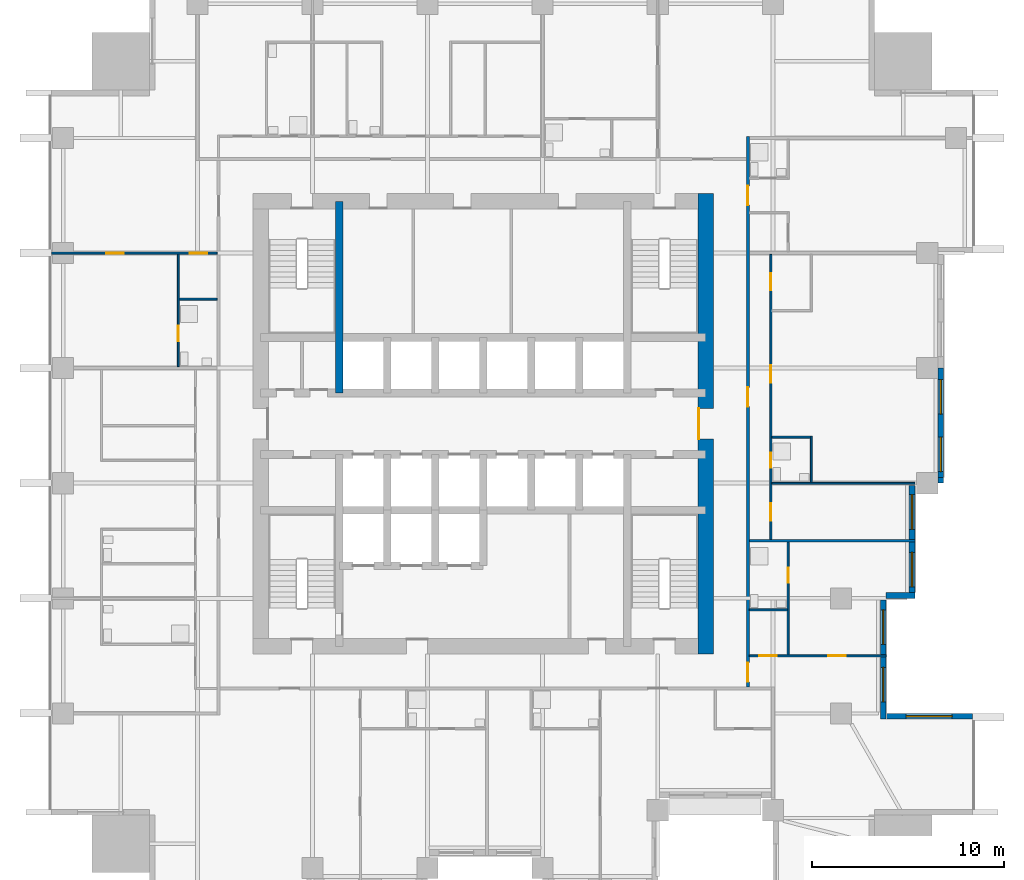
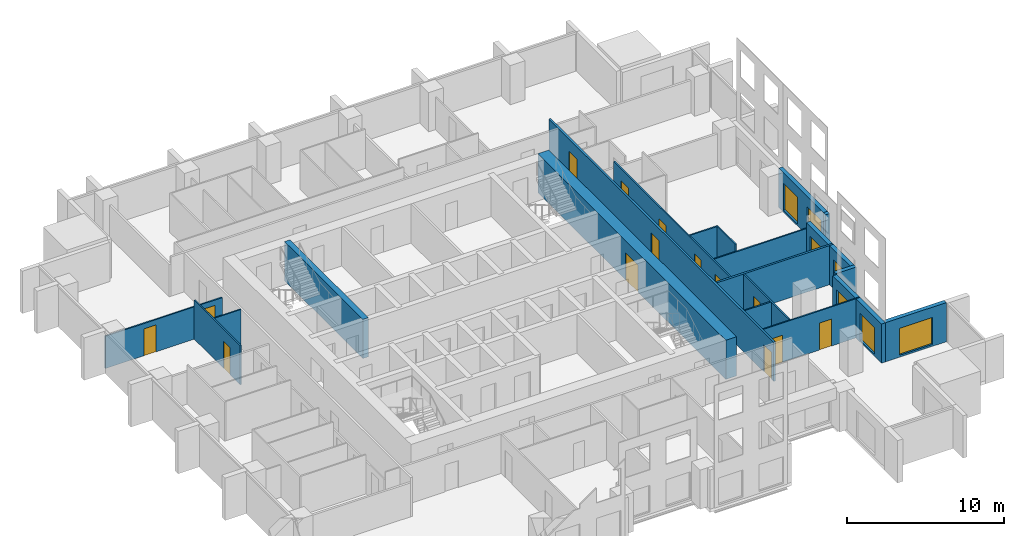
# One storey, part 6 of 11: 20 walls, 14 doors, 7 windows, 21 openings.
"""IFC4 building model written with IfcOpenShell, lengths in metres."""

from ifc_helpers import new_model, si_unit, direction, frame, frame_2d, origin, place, context, subcontext, project, spatial, rectangle, extrude, material, layer, layer_set, type_object, element, fill, save


model = new_model("IFC4")

# Units and contexts
model_context = context("Model", 3, precision=1e-05, world=origin(), true_north=direction((0.0, 1.0)))
body_context = subcontext(model_context, "Body", "Model", "MODEL_VIEW")
ifc_project = project(units=[si_unit("LENGTHUNIT", "METRE"), si_unit("AREAUNIT", "SQUARE_METRE"), si_unit("VOLUMEUNIT", "CUBIC_METRE"), si_unit("PLANEANGLEUNIT", "RADIAN"), si_unit("MASSUNIT", "GRAM", prefix="KILO")], contexts=[model_context])

# Site, building, storey
site_placement = place(None, origin())
site = spatial("IfcSite", under=ifc_project, at=site_placement, CompositionType="ELEMENT")
building_placement = place(site_placement, origin())
building = spatial("IfcBuilding", under=site, at=building_placement, Name="Amberfall Residences", CompositionType="ELEMENT")
storey_placement = place(building_placement, frame((0.0, 0.0, 115.0)))
storey = spatial("IfcBuildingStorey", under=building, at=storey_placement, Name="L31", CompositionType="ELEMENT", Elevation=115.0)

# Wall, opening, window
ifc_material_1 = material(Name="Pale stone cladding on insulated backing", Category="masonry")
ifc_layer_1 = layer(ifc_material_1, 0.300048828125)
ifc_layer_set_1 = layer_set([ifc_layer_1], Name="Bronze clad wall 300")
wall_type_1 = type_object("IfcWallType", Name="Bronze clad wall 300", PredefinedType="SOLIDWALL", material=ifc_layer_set_1)
wall_1_placement = place(storey_placement, frame((100.0, 30.25, 0.0), z_axis=(0.0, 0.0, 1.0), x_axis=(-1.0, 0.0, 0.0)))
wall_1 = element("IfcWall", 1, at=wall_1_placement, inside=storey, type_object=wall_type_1, Name="External wall L31 E", PredefinedType="SOLIDWALL", context=body_context, shape_type="SweptSolid", body=[
    extrude(rectangle(XDim=4.5, YDim=0.300048828125, at=frame_2d((2.25, 0.0))), origin(), (0.0, 0.0, 1.0), 3.050048828125),
])
opening_1_placement = place(wall_1_placement, frame((1.050048828125, 0.0, 0.14990234375)))
opening_1 = element("IfcOpeningElement", 2, at=opening_1_placement, cuts=wall_1, Name="Opening WN5", PredefinedType="OPENING", context=body_context, shape_type="SweptSolid", body=[
    extrude(rectangle(XDim=2.39990234375, YDim=2.10009765625, at=frame_2d((1.199951171875, 1.050048828125))), frame((0.0, 0.159912109375, 0.0), z_axis=(0.0, -1.0, 0.0), x_axis=(1.0, 0.0, 0.0)), (0.0, 0.0, 1.0), 0.320068359375),
])
ifc_material_2 = material(Name="Bronze aluminium framed glazing", Category="aluminium")
window_type_1 = type_object("IfcWindowType", Name="Glazed opening 2400 x 2100 bronze", PartitioningType="DOUBLE_PANEL_VERTICAL", PredefinedType="WINDOW", material=ifc_material_2)
window_1_placement = place(opening_1_placement, origin())
window_1 = element("IfcWindow", 3, at=window_1_placement, inside=storey, type_object=window_type_1, Name="Window L31 E", OverallHeight=2.10009765625, OverallWidth=2.39990234375, PartitioningType="DOUBLE_PANEL_VERTICAL", PredefinedType="WINDOW", context=body_context, shape_type="SweptSolid", body=[
    extrude(rectangle(XDim=2.39990234375, YDim=2.10009765625, at=frame_2d((1.199951171875, 1.050048828125))), frame((0.0, 0.030029296875, 0.0), z_axis=(0.0, -1.0, 0.0), x_axis=(1.0, 0.0, 0.0)), (0.0, 0.0, 1.0), 0.06005859375),
])
fill(opening_1, window_1)

# Walls
wall_2_placement = place(storey_placement, frame((95.5, 36.550048828125, 0.0), z_axis=(0.0, 0.0, 1.0), x_axis=(1.0, 0.0, 0.0)))
element("IfcWall", 4, at=wall_2_placement, inside=storey, type_object=wall_type_1, Name="External wall L31 E", PredefinedType="SOLIDWALL", context=body_context, shape_type="SweptSolid", body=[
    extrude(rectangle(XDim=1.5, YDim=0.300048828125, at=frame_2d((0.75, 0.0))), origin(), (0.0, 0.0, 1.0), 3.050048828125),
])
wall_3_placement = place(storey_placement, frame((98.199951171875, 42.550048828125, 0.0), z_axis=(0.0, 0.0, 1.0), x_axis=(1.0, 0.0, 0.0)))
element("IfcWall", 5, at=wall_3_placement, inside=storey, type_object=wall_type_1, Name="External wall L31 E", PredefinedType="SOLIDWALL", context=body_context, shape_type="SweptSolid", body=[
    extrude(rectangle(XDim=0.300048828125, YDim=0.300048828125, at=frame_2d((0.14990234375, 0.0))), origin(), (0.0, 0.0, 1.0), 3.050048828125),
])

# Wall, openings, windows
wall_4_placement = place(storey_placement, frame((95.35009765625, 30.10009765625, 0.0), z_axis=(0.0, 0.0, 1.0), x_axis=(0.0, 1.0, 0.0)))
wall_4 = element("IfcWall", 6, at=wall_4_placement, inside=storey, type_object=wall_type_1, Name="Stone wall L31 E", PredefinedType="SOLIDWALL", context=body_context, shape_type="SweptSolid", body=[
    extrude(rectangle(XDim=6.2099609375, YDim=0.300048828125, at=frame_2d((3.10498046875, 0.0))), origin(), (0.0, 0.0, 1.0), 3.050048828125),
])
opening_2_placement = place(wall_4_placement, frame((0.89990234375, 0.0, 0.14990234375)))
opening_2 = element("IfcOpeningElement", 7, at=opening_2_placement, cuts=wall_4, Name="Opening WN6", PredefinedType="OPENING", context=body_context, shape_type="SweptSolid", body=[
    extrude(rectangle(XDim=1.800048828125, YDim=2.10009765625, at=frame_2d((0.89990234375, 1.050048828125))), frame((0.0, 0.159912109375, 0.0), z_axis=(0.0, -1.0, 0.0), x_axis=(1.0, 0.0, 0.0)), (0.0, 0.0, 1.0), 0.320068359375),
])
opening_3_placement = place(wall_4_placement, frame((3.89990234375, 0.0, 0.14990234375)))
opening_3 = element("IfcOpeningElement", 8, at=opening_3_placement, cuts=wall_4, Name="Opening WN6", PredefinedType="OPENING", context=body_context, shape_type="SweptSolid", body=[
    extrude(rectangle(XDim=1.800048828125, YDim=2.10009765625, at=frame_2d((0.89990234375, 1.050048828125))), frame((0.0, 0.159912109375, 0.0), z_axis=(0.0, -1.0, 0.0), x_axis=(1.0, 0.0, 0.0)), (0.0, 0.0, 1.0), 0.320068359375),
])
window_type_2 = type_object("IfcWindowType", Name="Glazed opening 1800 x 2100 bronze", PartitioningType="DOUBLE_PANEL_VERTICAL", PredefinedType="WINDOW", material=ifc_material_2)
window_2_placement = place(opening_2_placement, origin())
window_2 = element("IfcWindow", 9, at=window_2_placement, inside=storey, type_object=window_type_2, Name="Window L31 E", OverallHeight=2.10009765625, OverallWidth=1.800048828125, PartitioningType="DOUBLE_PANEL_VERTICAL", PredefinedType="WINDOW", context=body_context, shape_type="SweptSolid", body=[
    extrude(rectangle(XDim=1.800048828125, YDim=2.10009765625, at=frame_2d((0.89990234375, 1.050048828125))), frame((0.0, 0.030029296875, 0.0), z_axis=(0.0, -1.0, 0.0), x_axis=(1.0, 0.0, 0.0)), (0.0, 0.0, 1.0), 0.06005859375),
])
fill(opening_2, window_2)
window_3_placement = place(opening_3_placement, origin())
window_3 = element("IfcWindow", 10, at=window_3_placement, inside=storey, type_object=window_type_2, Name="Window L31 E", OverallHeight=2.10009765625, OverallWidth=1.800048828125, PartitioningType="DOUBLE_PANEL_VERTICAL", PredefinedType="WINDOW", context=body_context, shape_type="SweptSolid", body=[
    extrude(rectangle(XDim=1.800048828125, YDim=2.10009765625, at=frame_2d((0.89990234375, 1.050048828125))), frame((0.0, 0.030029296875, 0.0), z_axis=(0.0, -1.0, 0.0), x_axis=(1.0, 0.0, 0.0)), (0.0, 0.0, 1.0), 0.06005859375),
])
fill(opening_3, window_3)

wall_5_placement = place(storey_placement, frame((96.85009765625, 36.699951171875, 0.0), z_axis=(0.0, 0.0, 1.0), x_axis=(0.0, 1.0, 0.0)))
wall_5 = element("IfcWall", 11, at=wall_5_placement, inside=storey, type_object=wall_type_1, Name="Stone wall L31 E", PredefinedType="SOLIDWALL", context=body_context, shape_type="SweptSolid", body=[
    extrude(rectangle(XDim=5.590087890625, YDim=0.300048828125, at=frame_2d((2.794921875, 0.0))), origin(), (0.0, 0.0, 1.0), 3.050048828125),
])
opening_4_placement = place(wall_5_placement, frame((0.300048828125, 0.0, 0.14990234375)))
opening_4 = element("IfcOpeningElement", 12, at=opening_4_placement, cuts=wall_5, Name="Opening WN6", PredefinedType="OPENING", context=body_context, shape_type="SweptSolid", body=[
    extrude(rectangle(XDim=1.800048828125, YDim=2.10009765625, at=frame_2d((0.89990234375, 1.050048828125))), frame((0.0, 0.159912109375, 0.0), z_axis=(0.0, -1.0, 0.0), x_axis=(1.0, 0.0, 0.0)), (0.0, 0.0, 1.0), 0.320068359375),
])
opening_5_placement = place(wall_5_placement, frame((3.300048828125, 0.0, 0.14990234375)))
opening_5 = element("IfcOpeningElement", 13, at=opening_5_placement, cuts=wall_5, Name="Opening WN6", PredefinedType="OPENING", context=body_context, shape_type="SweptSolid", body=[
    extrude(rectangle(XDim=1.800048828125, YDim=2.10009765625, at=frame_2d((0.89990234375, 1.050048828125))), frame((0.0, 0.159912109375, 0.0), z_axis=(0.0, -1.0, 0.0), x_axis=(1.0, 0.0, 0.0)), (0.0, 0.0, 1.0), 0.320068359375),
])
window_4_placement = place(opening_4_placement, origin())
window_4 = element("IfcWindow", 14, at=window_4_placement, inside=storey, type_object=window_type_2, Name="Window L31 E", OverallHeight=2.10009765625, OverallWidth=1.800048828125, PartitioningType="DOUBLE_PANEL_VERTICAL", PredefinedType="WINDOW", context=body_context, shape_type="SweptSolid", body=[
    extrude(rectangle(XDim=1.800048828125, YDim=2.10009765625, at=frame_2d((0.89990234375, 1.050048828125))), frame((0.0, 0.030029296875, 0.0), z_axis=(0.0, -1.0, 0.0), x_axis=(1.0, 0.0, 0.0)), (0.0, 0.0, 1.0), 0.06005859375),
])
fill(opening_4, window_4)
window_5_placement = place(opening_5_placement, origin())
window_5 = element("IfcWindow", 15, at=window_5_placement, inside=storey, type_object=window_type_2, Name="Window L31 E", OverallHeight=2.10009765625, OverallWidth=1.800048828125, PartitioningType="DOUBLE_PANEL_VERTICAL", PredefinedType="WINDOW", context=body_context, shape_type="SweptSolid", body=[
    extrude(rectangle(XDim=1.800048828125, YDim=2.10009765625, at=frame_2d((0.89990234375, 1.050048828125))), frame((0.0, 0.030029296875, 0.0), z_axis=(0.0, -1.0, 0.0), x_axis=(1.0, 0.0, 0.0)), (0.0, 0.0, 1.0), 0.06005859375),
])
fill(opening_5, window_5)

wall_6_placement = place(storey_placement, frame((98.35009765625, 42.699951171875, 0.0), z_axis=(0.0, 0.0, 1.0), x_axis=(0.0, 1.0, 0.0)))
wall_6 = element("IfcWall", 16, at=wall_6_placement, inside=storey, type_object=wall_type_1, Name="Stone wall L31 E", PredefinedType="SOLIDWALL", context=body_context, shape_type="SweptSolid", body=[
    extrude(rectangle(XDim=5.699951171875, YDim=0.300048828125, at=frame_2d((2.85009765625, 0.0))), origin(), (0.0, 0.0, 1.0), 3.050048828125),
])
opening_6_placement = place(wall_6_placement, frame((0.300048828125, 0.0, 0.14990234375)))
opening_6 = element("IfcOpeningElement", 17, at=opening_6_placement, cuts=wall_6, Name="Opening WN6", PredefinedType="OPENING", context=body_context, shape_type="SweptSolid", body=[
    extrude(rectangle(XDim=1.800048828125, YDim=2.10009765625, at=frame_2d((0.89990234375, 1.050048828125))), frame((0.0, 0.159912109375, 0.0), z_axis=(0.0, -1.0, 0.0), x_axis=(1.0, 0.0, 0.0)), (0.0, 0.0, 1.0), 0.320068359375),
])
opening_7_placement = place(wall_6_placement, frame((3.300048828125, 0.0, 0.14990234375)))
opening_7 = element("IfcOpeningElement", 18, at=opening_7_placement, cuts=wall_6, Name="Opening WN6", PredefinedType="OPENING", context=body_context, shape_type="SweptSolid", body=[
    extrude(rectangle(XDim=1.800048828125, YDim=2.10009765625, at=frame_2d((0.89990234375, 1.050048828125))), frame((0.0, 0.159912109375, 0.0), z_axis=(0.0, -1.0, 0.0), x_axis=(1.0, 0.0, 0.0)), (0.0, 0.0, 1.0), 0.320068359375),
])
window_6_placement = place(opening_6_placement, origin())
window_6 = element("IfcWindow", 19, at=window_6_placement, inside=storey, type_object=window_type_2, Name="Window L31 E", OverallHeight=2.10009765625, OverallWidth=1.800048828125, PartitioningType="DOUBLE_PANEL_VERTICAL", PredefinedType="WINDOW", context=body_context, shape_type="SweptSolid", body=[
    extrude(rectangle(XDim=1.800048828125, YDim=2.10009765625, at=frame_2d((0.89990234375, 1.050048828125))), frame((0.0, 0.030029296875, 0.0), z_axis=(0.0, -1.0, 0.0), x_axis=(1.0, 0.0, 0.0)), (0.0, 0.0, 1.0), 0.06005859375),
])
fill(opening_6, window_6)
window_7_placement = place(opening_7_placement, origin())
window_7 = element("IfcWindow", 20, at=window_7_placement, inside=storey, type_object=window_type_2, Name="Window L31 E", OverallHeight=2.10009765625, OverallWidth=1.800048828125, PartitioningType="DOUBLE_PANEL_VERTICAL", PredefinedType="WINDOW", context=body_context, shape_type="SweptSolid", body=[
    extrude(rectangle(XDim=1.800048828125, YDim=2.10009765625, at=frame_2d((0.89990234375, 1.050048828125))), frame((0.0, 0.030029296875, 0.0), z_axis=(0.0, -1.0, 0.0), x_axis=(1.0, 0.0, 0.0)), (0.0, 0.0, 1.0), 0.06005859375),
])
fill(opening_7, window_7)

# Wall
ifc_material_3 = material(Name="Concrete C70", Category="concrete")
ifc_layer_2 = layer(ifc_material_3, 0.39990234375)
ifc_layer_set_2 = layer_set([ifc_layer_2], Name="Core wall 400 C70")
wall_type_2 = type_object("IfcWallType", Name="Core wall 400 C70", PredefinedType="SHEAR", material=ifc_layer_set_2)
wall_7_placement = place(storey_placement, frame((67.0, 47.10009765625, 0.0), z_axis=(0.0, 0.0, 1.0), x_axis=(0.0, 1.0, 0.0)))
element("IfcWall", 21, at=wall_7_placement, inside=storey, type_object=wall_type_2, Name="Core wall RW4 L31 V45N", PredefinedType="SHEAR", context=body_context, shape_type="SweptSolid", body=[
    extrude(rectangle(XDim=10.0, YDim=0.39990234375, at=frame_2d((5.0, 0.0))), origin(), (0.0, 0.0, 1.0), 3.050048828125),
])

# Wall, opening, door
ifc_layer_3 = layer(ifc_material_3, 0.800048828125)
ifc_layer_set_3 = layer_set([ifc_layer_3], Name="Core wall 800 C70")
wall_type_3 = type_object("IfcWallType", Name="Core wall 800 C70", PredefinedType="SHEAR", material=ifc_layer_set_3)
wall_8_placement = place(storey_placement, frame((86.10009765625, 33.5, 0.0), z_axis=(0.0, 0.0, 1.0), x_axis=(0.0, 1.0, 0.0)))
wall_8 = element("IfcWall", 22, at=wall_8_placement, inside=storey, type_object=wall_type_3, Name="Core wall RW3 L31 OE", PredefinedType="SHEAR", context=body_context, shape_type="SweptSolid", body=[
    extrude(rectangle(XDim=24.0, YDim=0.800048828125, at=frame_2d((12.0, 0.0))), origin(), (0.0, 0.0, 1.0), 3.050048828125),
])
opening_8_placement = place(wall_8_placement, frame((11.199951171875, 0.0, 0.0)))
opening_8 = element("IfcOpeningElement", 23, at=opening_8_placement, cuts=wall_8, Name="Opening LB1", PredefinedType="OPENING", context=body_context, shape_type="SweptSolid", body=[
    extrude(rectangle(XDim=1.60009765625, YDim=2.10009765625, at=frame_2d((0.800048828125, 1.050048828125))), frame((0.0, 0.409912109375, 0.0), z_axis=(0.0, -1.0, 0.0), x_axis=(1.0, 0.0, 0.0)), (0.0, 0.0, 1.0), 0.820068359375),
])
ifc_material_4 = material(Name="Steel fire door set", Category="steel")
door_type_1 = type_object("IfcDoorType", Name="Lift lobby double door 1600 x 2100", OperationType="DOUBLE_DOOR_SINGLE_SWING", PredefinedType="DOOR", material=ifc_material_4)
door_1_placement = place(opening_8_placement, origin())
door_1 = element("IfcDoor", 24, at=door_1_placement, inside=storey, type_object=door_type_1, Name="LB1 L31", OperationType="DOUBLE_DOOR_SINGLE_SWING", OverallHeight=2.10009765625, OverallWidth=1.60009765625, PredefinedType="DOOR", context=body_context, shape_type="SweptSolid", body=[
    extrude(rectangle(XDim=1.60009765625, YDim=2.10009765625, at=frame_2d((0.800048828125, 1.050048828125))), frame((0.0, 0.3876953125, 0.0), z_axis=(0.0, -1.0, 0.0), x_axis=(1.0, 0.0, 0.0)), (0.0, 0.0, 1.0), 0.050048828125),
])
fill(opening_8, door_1)

ifc_material_5 = material(Name="Gypsum board on metal stud")
ifc_layer_4 = layer(ifc_material_5, 0.10009765625)
ifc_layer_set_4 = layer_set([ifc_layer_4], Name="Flat partition 100")
wall_type_4 = type_object("IfcWallType", Name="Flat partition 100", PredefinedType="PARTITIONING", material=ifc_layer_set_4)
wall_9_placement = place(storey_placement, frame((58.60009765625, 54.35009765625, 0.0), z_axis=(0.0, 0.0, 1.0), x_axis=(0.0, -1.0, 0.0)))
wall_9 = element("IfcWall", 25, at=wall_9_placement, inside=storey, type_object=wall_type_4, Name="Partition 003", PredefinedType="PARTITIONING", context=body_context, shape_type="SweptSolid", body=[
    extrude(rectangle(XDim=5.875, YDim=0.10009765625, at=frame_2d((2.9375, 0.0))), origin(), (0.0, 0.0, 1.0), 3.050048828125),
])
opening_9_placement = place(wall_9_placement, frame((3.75, 0.0, 0.0)))
opening_9 = element("IfcOpeningElement", 26, at=opening_9_placement, cuts=wall_9, Name="Opening D42", PredefinedType="OPENING", context=body_context, shape_type="SweptSolid", body=[
    extrude(rectangle(XDim=0.800048828125, YDim=2.10009765625, at=frame_2d((0.39990234375, 1.050048828125))), frame((0.0, 0.06005859375, 0.0), z_axis=(0.0, -1.0, 0.0), x_axis=(1.0, 0.0, 0.0)), (0.0, 0.0, 1.0), 0.1201171875),
])
ifc_material_6 = material(Name="Timber", Category="wood")
door_type_2 = type_object("IfcDoorType", Name="Bathroom door 800 x 2100", OperationType="SINGLE_SWING_LEFT", PredefinedType="DOOR", material=ifc_material_6)
door_2_placement = place(opening_9_placement, origin())
door_2 = element("IfcDoor", 27, at=door_2_placement, inside=storey, type_object=door_type_2, Name="Door 3109 bath1", OperationType="SINGLE_SWING_LEFT", OverallHeight=2.10009765625, OverallWidth=0.800048828125, PredefinedType="DOOR", context=body_context, shape_type="SweptSolid", body=[
    extrude(rectangle(XDim=0.800048828125, YDim=2.10009765625, at=frame_2d((0.39990234375, 1.050048828125))), frame((0.0, 0.02490234375, 0.0), z_axis=(0.0, -1.0, 0.0), x_axis=(1.0, 0.0, 0.0)), (0.0, 0.0, 1.0), 0.050048828125),
])
fill(opening_9, door_2)

# Wall, openings, doors
wall_10_placement = place(storey_placement, frame((89.5, 54.324951171875, 0.0), z_axis=(0.0, 0.0, 1.0), x_axis=(0.0, -1.0, 0.0)))
wall_10 = element("IfcWall", 28, at=wall_10_placement, inside=storey, type_object=wall_type_4, Name="Partition 019", PredefinedType="PARTITIONING", context=body_context, shape_type="SweptSolid", body=[
    extrude(rectangle(XDim=14.849853515625, YDim=0.10009765625, at=frame_2d((7.4248046875, 0.0))), origin(), (0.0, 0.0, 1.0), 3.050048828125),
])
opening_10_placement = place(wall_10_placement, frame((5.77490234375, 0.0, 0.0)))
opening_10 = element("IfcOpeningElement", 29, at=opening_10_placement, cuts=wall_10, Name="Opening D41", PredefinedType="OPENING", context=body_context, shape_type="SweptSolid", body=[
    extrude(rectangle(XDim=0.89990234375, YDim=2.10009765625, at=frame_2d((0.449951171875, 1.050048828125))), frame((0.0, 0.06005859375, 0.0), z_axis=(0.0, -1.0, 0.0), x_axis=(1.0, 0.0, 0.0)), (0.0, 0.0, 1.0), 0.1201171875),
])
opening_11_placement = place(wall_10_placement, frame((0.97509765625, 0.0, 0.0)))
opening_11 = element("IfcOpeningElement", 30, at=opening_11_placement, cuts=wall_10, Name="Opening D41", PredefinedType="OPENING", context=body_context, shape_type="SweptSolid", body=[
    extrude(rectangle(XDim=0.89990234375, YDim=2.10009765625, at=frame_2d((0.449951171875, 1.050048828125))), frame((0.0, 0.06005859375, 0.0), z_axis=(0.0, -1.0, 0.0), x_axis=(1.0, 0.0, 0.0)), (0.0, 0.0, 1.0), 0.1201171875),
])
opening_12_placement = place(wall_10_placement, frame((12.97509765625, 0.0, 0.0)))
opening_12 = element("IfcOpeningElement", 31, at=opening_12_placement, cuts=wall_10, Name="Opening D41", PredefinedType="OPENING", context=body_context, shape_type="SweptSolid", body=[
    extrude(rectangle(XDim=0.89990234375, YDim=2.10009765625, at=frame_2d((0.449951171875, 1.050048828125))), frame((0.0, 0.06005859375, 0.0), z_axis=(0.0, -1.0, 0.0), x_axis=(1.0, 0.0, 0.0)), (0.0, 0.0, 1.0), 0.1201171875),
])
opening_13_placement = place(wall_10_placement, frame((10.324951171875, 0.0, 0.0)))
opening_13 = element("IfcOpeningElement", 32, at=opening_13_placement, cuts=wall_10, Name="Opening D42", PredefinedType="OPENING", context=body_context, shape_type="SweptSolid", body=[
    extrude(rectangle(XDim=0.800048828125, YDim=2.10009765625, at=frame_2d((0.39990234375, 1.050048828125))), frame((0.0, 0.06005859375, 0.0), z_axis=(0.0, -1.0, 0.0), x_axis=(1.0, 0.0, 0.0)), (0.0, 0.0, 1.0), 0.1201171875),
])
door_3_placement = place(opening_13_placement, origin())
door_3 = element("IfcDoor", 33, at=door_3_placement, inside=storey, type_object=door_type_2, Name="Door 3104 bath1", OperationType="SINGLE_SWING_LEFT", OverallHeight=2.10009765625, OverallWidth=0.800048828125, PredefinedType="DOOR", context=body_context, shape_type="SweptSolid", body=[
    extrude(rectangle(XDim=0.800048828125, YDim=2.10009765625, at=frame_2d((0.39990234375, 1.050048828125))), frame((0.0, 0.02490234375, 0.0), z_axis=(0.0, -1.0, 0.0), x_axis=(1.0, 0.0, 0.0)), (0.0, 0.0, 1.0), 0.050048828125),
])
fill(opening_13, door_3)
door_type_3 = type_object("IfcDoorType", Name="Internal door 900 x 2100", OperationType="SINGLE_SWING_LEFT", PredefinedType="DOOR", material=ifc_material_6)
door_4_placement = place(opening_10_placement, origin())
door_4 = element("IfcDoor", 34, at=door_4_placement, inside=storey, type_object=door_type_3, Name="Door 3104 living", OperationType="SINGLE_SWING_LEFT", OverallHeight=2.10009765625, OverallWidth=0.89990234375, PredefinedType="DOOR", context=body_context, shape_type="SweptSolid", body=[
    extrude(rectangle(XDim=0.89990234375, YDim=2.10009765625, at=frame_2d((0.449951171875, 1.050048828125))), frame((0.0, 0.02490234375, 0.0), z_axis=(0.0, -1.0, 0.0), x_axis=(1.0, 0.0, 0.0)), (0.0, 0.0, 1.0), 0.050048828125),
])
fill(opening_10, door_4)
door_5_placement = place(opening_11_placement, origin())
door_5 = element("IfcDoor", 35, at=door_5_placement, inside=storey, type_object=door_type_3, Name="Door 3104 kitchen", OperationType="SINGLE_SWING_LEFT", OverallHeight=2.10009765625, OverallWidth=0.89990234375, PredefinedType="DOOR", context=body_context, shape_type="SweptSolid", body=[
    extrude(rectangle(XDim=0.89990234375, YDim=2.10009765625, at=frame_2d((0.449951171875, 1.050048828125))), frame((0.0, 0.02490234375, 0.0), z_axis=(0.0, -1.0, 0.0), x_axis=(1.0, 0.0, 0.0)), (0.0, 0.0, 1.0), 0.050048828125),
])
fill(opening_11, door_5)
door_6_placement = place(opening_12_placement, origin())
door_6 = element("IfcDoor", 36, at=door_6_placement, inside=storey, type_object=door_type_3, Name="Door 3104 bedroom1", OperationType="SINGLE_SWING_LEFT", OverallHeight=2.10009765625, OverallWidth=0.89990234375, PredefinedType="DOOR", context=body_context, shape_type="SweptSolid", body=[
    extrude(rectangle(XDim=0.89990234375, YDim=2.10009765625, at=frame_2d((0.449951171875, 1.050048828125))), frame((0.0, 0.02490234375, 0.0), z_axis=(0.0, -1.0, 0.0), x_axis=(1.0, 0.0, 0.0)), (0.0, 0.0, 1.0), 0.050048828125),
])
fill(opening_12, door_6)

# Wall, opening, door
wall_11_placement = place(storey_placement, frame((90.39990234375, 33.449951171875, 0.0), z_axis=(0.0, 0.0, 1.0), x_axis=(0.0, 1.0, 0.0)))
wall_11 = element("IfcWall", 37, at=wall_11_placement, inside=storey, type_object=wall_type_4, Name="Partition 020", PredefinedType="PARTITIONING", context=body_context, shape_type="SweptSolid", body=[
    extrude(rectangle(XDim=5.875, YDim=0.10009765625, at=frame_2d((2.9375, 0.0))), origin(), (0.0, 0.0, 1.0), 3.050048828125),
])
opening_14_placement = place(wall_11_placement, frame((3.75, 0.0, 0.0)))
opening_14 = element("IfcOpeningElement", 38, at=opening_14_placement, cuts=wall_11, Name="Opening D42", PredefinedType="OPENING", context=body_context, shape_type="SweptSolid", body=[
    extrude(rectangle(XDim=0.800048828125, YDim=2.10009765625, at=frame_2d((0.39990234375, 1.050048828125))), frame((0.0, 0.06005859375, 0.0), z_axis=(0.0, -1.0, 0.0), x_axis=(1.0, 0.0, 0.0)), (0.0, 0.0, 1.0), 0.1201171875),
])
door_7_placement = place(opening_14_placement, origin())
door_7 = element("IfcDoor", 39, at=door_7_placement, inside=storey, type_object=door_type_2, Name="Door 3103 bath1", OperationType="SINGLE_SWING_LEFT", OverallHeight=2.10009765625, OverallWidth=0.800048828125, PredefinedType="DOOR", context=body_context, shape_type="SweptSolid", body=[
    extrude(rectangle(XDim=0.800048828125, YDim=2.10009765625, at=frame_2d((0.39990234375, 1.050048828125))), frame((0.0, 0.02490234375, 0.0), z_axis=(0.0, -1.0, 0.0), x_axis=(1.0, 0.0, 0.0)), (0.0, 0.0, 1.0), 0.050048828125),
])
fill(opening_14, door_7)

# Wall
wall_12_placement = place(storey_placement, frame((91.60009765625, 42.449951171875, 0.0), z_axis=(0.0, 0.0, 1.0), x_axis=(0.0, 1.0, 0.0)))
element("IfcWall", 40, at=wall_12_placement, inside=storey, type_object=wall_type_4, Name="Partition 023", PredefinedType="PARTITIONING", context=body_context, shape_type="SweptSolid", body=[
    extrude(rectangle(XDim=2.400146484375, YDim=0.10009765625, at=frame_2d((1.2001953125, 0.0))), origin(), (0.0, 0.0, 1.0), 3.050048828125),
])

# Wall, openings, doors
wall_13_placement = place(storey_placement, frame((60.625, 54.39990234375, 0.0), z_axis=(0.0, 0.0, 1.0), x_axis=(-1.0, 0.0, 0.0)))
wall_13 = element("IfcWall", 41, at=wall_13_placement, inside=storey, type_object=wall_type_4, Name="Partition 031", PredefinedType="PARTITIONING", context=body_context, shape_type="SweptSolid", body=[
    extrude(rectangle(XDim=8.625, YDim=0.10009765625, at=frame_2d((4.3125, 0.0))), origin(), (0.0, 0.0, 1.0), 2.51611328125),
])
opening_15_placement = place(wall_13_placement, frame((0.52490234375, 0.0, 0.0)))
opening_15 = element("IfcOpeningElement", 42, at=opening_15_placement, cuts=wall_13, Name="Opening D41", PredefinedType="OPENING", context=body_context, shape_type="SweptSolid", body=[
    extrude(rectangle(XDim=0.89990234375, YDim=2.10009765625, at=frame_2d((0.449951171875, 1.050048828125))), frame((0.0, 0.06005859375, 0.0), z_axis=(0.0, -1.0, 0.0), x_axis=(1.0, 0.0, 0.0)), (0.0, 0.0, 1.0), 0.1201171875),
])
opening_16_placement = place(wall_13_placement, frame((4.875, 0.0, 0.0)))
opening_16 = element("IfcOpeningElement", 43, at=opening_16_placement, cuts=wall_13, Name="Opening D41", PredefinedType="OPENING", context=body_context, shape_type="SweptSolid", body=[
    extrude(rectangle(XDim=0.89990234375, YDim=2.10009765625, at=frame_2d((0.449951171875, 1.050048828125))), frame((0.0, 0.06005859375, 0.0), z_axis=(0.0, -1.0, 0.0), x_axis=(1.0, 0.0, 0.0)), (0.0, 0.0, 1.0), 0.1201171875),
])
door_8_placement = place(opening_15_placement, origin())
door_8 = element("IfcDoor", 44, at=door_8_placement, inside=storey, type_object=door_type_3, Name="Door 3109 kitchen", OperationType="SINGLE_SWING_LEFT", OverallHeight=2.10009765625, OverallWidth=0.89990234375, PredefinedType="DOOR", context=body_context, shape_type="SweptSolid", body=[
    extrude(rectangle(XDim=0.89990234375, YDim=2.10009765625, at=frame_2d((0.449951171875, 1.050048828125))), frame((0.0, 0.02490234375, 0.0), z_axis=(0.0, -1.0, 0.0), x_axis=(1.0, 0.0, 0.0)), (0.0, 0.0, 1.0), 0.050048828125),
])
fill(opening_15, door_8)
door_9_placement = place(opening_16_placement, origin())
door_9 = element("IfcDoor", 45, at=door_9_placement, inside=storey, type_object=door_type_3, Name="Door 3109 bedroom1", OperationType="SINGLE_SWING_LEFT", OverallHeight=2.10009765625, OverallWidth=0.89990234375, PredefinedType="DOOR", context=body_context, shape_type="SweptSolid", body=[
    extrude(rectangle(XDim=0.89990234375, YDim=2.10009765625, at=frame_2d((0.449951171875, 1.050048828125))), frame((0.0, 0.02490234375, 0.0), z_axis=(0.0, -1.0, 0.0), x_axis=(1.0, 0.0, 0.0)), (0.0, 0.0, 1.0), 0.050048828125),
])
fill(opening_16, door_9)

# Walls
wall_14_placement = place(storey_placement, frame((58.64990234375, 52.0, 0.0), z_axis=(0.0, 0.0, 1.0), x_axis=(1.0, 0.0, 0.0)))
element("IfcWall", 46, at=wall_14_placement, inside=storey, type_object=wall_type_4, Name="Partition 032", PredefinedType="PARTITIONING", context=body_context, shape_type="SweptSolid", body=[
    extrude(rectangle(XDim=1.97509765625, YDim=0.10009765625, at=frame_2d((0.987548828125, 0.0))), origin(), (0.0, 0.0, 1.0), 3.050048828125),
])
wall_15_placement = place(storey_placement, frame((89.550048828125, 44.800048828125, 0.0), z_axis=(0.0, 0.0, 1.0), x_axis=(1.0, 0.0, 0.0)))
element("IfcWall", 47, at=wall_15_placement, inside=storey, type_object=wall_type_4, Name="Partition 035", PredefinedType="PARTITIONING", context=body_context, shape_type="SweptSolid", body=[
    extrude(rectangle(XDim=2.0, YDim=0.10009765625, at=frame_2d((1.0, 0.0))), origin(), (0.0, 0.0, 1.0), 3.050048828125),
])
wall_16_placement = place(storey_placement, frame((89.550048828125, 42.39990234375, 0.0), z_axis=(0.0, 0.0, 1.0), x_axis=(1.0, 0.0, 0.0)))
element("IfcWall", 48, at=wall_16_placement, inside=storey, type_object=wall_type_4, Name="Partition 037", PredefinedType="PARTITIONING", context=body_context, shape_type="SweptSolid", body=[
    extrude(rectangle(XDim=7.449951171875, YDim=0.10009765625, at=frame_2d((3.72509765625, 0.0))), origin(), (0.0, 0.0, 1.0), 2.51611328125),
])
wall_17_placement = place(storey_placement, frame((88.375, 35.800048828125, 0.0), z_axis=(0.0, 0.0, 1.0), x_axis=(1.0, 0.0, 0.0)))
element("IfcWall", 49, at=wall_17_placement, inside=storey, type_object=wall_type_4, Name="Partition 041", PredefinedType="PARTITIONING", context=body_context, shape_type="SweptSolid", body=[
    extrude(rectangle(XDim=1.97509765625, YDim=0.10009765625, at=frame_2d((0.987548828125, 0.0))), origin(), (0.0, 0.0, 1.0), 3.050048828125),
])

# Wall, openings, doors
wall_18_placement = place(storey_placement, frame((88.375, 33.39990234375, 0.0), z_axis=(0.0, 0.0, 1.0), x_axis=(1.0, 0.0, 0.0)))
wall_18 = element("IfcWall", 50, at=wall_18_placement, inside=storey, type_object=wall_type_4, Name="Partition 043", PredefinedType="PARTITIONING", context=body_context, shape_type="SweptSolid", body=[
    extrude(rectangle(XDim=7.125, YDim=0.10009765625, at=frame_2d((3.5625, 0.0))), origin(), (0.0, 0.0, 1.0), 3.050048828125),
])
opening_17_placement = place(wall_18_placement, frame((0.52490234375, 0.0, 0.0)))
opening_17 = element("IfcOpeningElement", 51, at=opening_17_placement, cuts=wall_18, Name="Opening D41", PredefinedType="OPENING", context=body_context, shape_type="SweptSolid", body=[
    extrude(rectangle(XDim=0.89990234375, YDim=2.10009765625, at=frame_2d((0.449951171875, 1.050048828125))), frame((0.0, 0.06005859375, 0.0), z_axis=(0.0, -1.0, 0.0), x_axis=(1.0, 0.0, 0.0)), (0.0, 0.0, 1.0), 0.1201171875),
])
opening_18_placement = place(wall_18_placement, frame((4.125, 0.0, 0.0)))
opening_18 = element("IfcOpeningElement", 52, at=opening_18_placement, cuts=wall_18, Name="Opening D41", PredefinedType="OPENING", context=body_context, shape_type="SweptSolid", body=[
    extrude(rectangle(XDim=0.89990234375, YDim=2.10009765625, at=frame_2d((0.449951171875, 1.050048828125))), frame((0.0, 0.06005859375, 0.0), z_axis=(0.0, -1.0, 0.0), x_axis=(1.0, 0.0, 0.0)), (0.0, 0.0, 1.0), 0.1201171875),
])
door_10_placement = place(opening_17_placement, origin())
door_10 = element("IfcDoor", 53, at=door_10_placement, inside=storey, type_object=door_type_3, Name="Door 3103 kitchen", OperationType="SINGLE_SWING_LEFT", OverallHeight=2.10009765625, OverallWidth=0.89990234375, PredefinedType="DOOR", context=body_context, shape_type="SweptSolid", body=[
    extrude(rectangle(XDim=0.89990234375, YDim=2.10009765625, at=frame_2d((0.449951171875, 1.050048828125))), frame((0.0, 0.02490234375, 0.0), z_axis=(0.0, -1.0, 0.0), x_axis=(1.0, 0.0, 0.0)), (0.0, 0.0, 1.0), 0.050048828125),
])
fill(opening_17, door_10)
door_11_placement = place(opening_18_placement, origin())
door_11 = element("IfcDoor", 54, at=door_11_placement, inside=storey, type_object=door_type_3, Name="Door 3103 bedroom1", OperationType="SINGLE_SWING_LEFT", OverallHeight=2.10009765625, OverallWidth=0.89990234375, PredefinedType="DOOR", context=body_context, shape_type="SweptSolid", body=[
    extrude(rectangle(XDim=0.89990234375, YDim=2.10009765625, at=frame_2d((0.449951171875, 1.050048828125))), frame((0.0, 0.02490234375, 0.0), z_axis=(0.0, -1.0, 0.0), x_axis=(1.0, 0.0, 0.0)), (0.0, 0.0, 1.0), 0.050048828125),
])
fill(opening_18, door_11)

ifc_material_7 = material(Name="Blockwork, plastered", Category="masonry")
ifc_layer_5 = layer(ifc_material_7, 0.14990234375)
ifc_layer_set_5 = layer_set([ifc_layer_5], Name="Flat separating wall 150")
wall_type_5 = type_object("IfcWallType", Name="Flat separating wall 150", PredefinedType="PARTITIONING", material=ifc_layer_set_5)
wall_19_placement = place(storey_placement, frame((88.300048828125, 60.47509765625, 0.0), z_axis=(0.0, 0.0, 1.0), x_axis=(0.0, -1.0, 0.0)))
wall_19 = element("IfcWall", 55, at=wall_19_placement, inside=storey, type_object=wall_type_5, Name="Separating wall 052", PredefinedType="PARTITIONING", context=body_context, shape_type="SweptSolid", body=[
    extrude(rectangle(XDim=28.7001953125, YDim=0.14990234375, at=frame_2d((14.35009765625, 0.0))), origin(), (0.0, 0.0, 1.0), 3.050048828125),
])
opening_19_placement = place(wall_19_placement, frame((27.425048828125, 0.0, 0.0)))
opening_19 = element("IfcOpeningElement", 56, at=opening_19_placement, cuts=wall_19, Name="Opening D40", PredefinedType="OPENING", context=body_context, shape_type="SweptSolid", body=[
    extrude(rectangle(XDim=1.0, YDim=2.10009765625, at=frame_2d((0.5, 1.050048828125))), frame((0.0, 0.0849609375, 0.0), z_axis=(0.0, -1.0, 0.0), x_axis=(1.0, 0.0, 0.0)), (0.0, 0.0, 1.0), 0.169921875),
])
opening_20_placement = place(wall_19_placement, frame((13.074951171875, 0.0, 0.0)))
opening_20 = element("IfcOpeningElement", 57, at=opening_20_placement, cuts=wall_19, Name="Opening D40", PredefinedType="OPENING", context=body_context, shape_type="SweptSolid", body=[
    extrude(rectangle(XDim=1.0, YDim=2.10009765625, at=frame_2d((0.5, 1.050048828125))), frame((0.0, 0.0849609375, 0.0), z_axis=(0.0, -1.0, 0.0), x_axis=(1.0, 0.0, 0.0)), (0.0, 0.0, 1.0), 0.169921875),
])
opening_21_placement = place(wall_19_placement, frame((2.574951171875, 0.0, 0.0)))
opening_21 = element("IfcOpeningElement", 58, at=opening_21_placement, cuts=wall_19, Name="Opening D40", PredefinedType="OPENING", context=body_context, shape_type="SweptSolid", body=[
    extrude(rectangle(XDim=1.0, YDim=2.10009765625, at=frame_2d((0.5, 1.050048828125))), frame((0.0, 0.0849609375, 0.0), z_axis=(0.0, -1.0, 0.0), x_axis=(1.0, 0.0, 0.0)), (0.0, 0.0, 1.0), 0.169921875),
])
ifc_material_8 = material(Name="Timber, fire-rated", Category="wood")
door_type_4 = type_object("IfcDoorType", Name="Flat entrance door FD60 1000 x 2100", OperationType="SINGLE_SWING_LEFT", PredefinedType="DOOR", material=ifc_material_8)
door_12_placement = place(opening_19_placement, origin())
door_12 = element("IfcDoor", 59, at=door_12_placement, inside=storey, type_object=door_type_4, Name="Door 3103 entrance", OperationType="SINGLE_SWING_LEFT", OverallHeight=2.10009765625, OverallWidth=1.0, PredefinedType="DOOR", context=body_context, shape_type="SweptSolid", body=[
    extrude(rectangle(XDim=1.0, YDim=2.10009765625, at=frame_2d((0.5, 1.050048828125))), frame((0.0, 0.02490234375, 0.0), z_axis=(0.0, -1.0, 0.0), x_axis=(1.0, 0.0, 0.0)), (0.0, 0.0, 1.0), 0.050048828125),
])
fill(opening_19, door_12)
door_13_placement = place(opening_20_placement, origin())
door_13 = element("IfcDoor", 60, at=door_13_placement, inside=storey, type_object=door_type_4, Name="Door 3104 entrance", OperationType="SINGLE_SWING_LEFT", OverallHeight=2.10009765625, OverallWidth=1.0, PredefinedType="DOOR", context=body_context, shape_type="SweptSolid", body=[
    extrude(rectangle(XDim=1.0, YDim=2.10009765625, at=frame_2d((0.5, 1.050048828125))), frame((0.0, 0.02490234375, 0.0), z_axis=(0.0, -1.0, 0.0), x_axis=(1.0, 0.0, 0.0)), (0.0, 0.0, 1.0), 0.050048828125),
])
fill(opening_20, door_13)
door_14_placement = place(opening_21_placement, origin())
door_14 = element("IfcDoor", 61, at=door_14_placement, inside=storey, type_object=door_type_4, Name="Door 3105 entrance", OperationType="SINGLE_SWING_LEFT", OverallHeight=2.10009765625, OverallWidth=1.0, PredefinedType="DOOR", context=body_context, shape_type="SweptSolid", body=[
    extrude(rectangle(XDim=1.0, YDim=2.10009765625, at=frame_2d((0.5, 1.050048828125))), frame((0.0, 0.02490234375, 0.0), z_axis=(0.0, -1.0, 0.0), x_axis=(1.0, 0.0, 0.0)), (0.0, 0.0, 1.0), 0.050048828125),
])
fill(opening_21, door_14)

# Wall
wall_20_placement = place(storey_placement, frame((88.375, 39.39990234375, 0.0), z_axis=(0.0, 0.0, 1.0), x_axis=(1.0, 0.0, 0.0)))
element("IfcWall", 62, at=wall_20_placement, inside=storey, type_object=wall_type_5, Name="Separating wall 058", PredefinedType="PARTITIONING", context=body_context, shape_type="SweptSolid", body=[
    extrude(rectangle(XDim=8.625, YDim=0.14990234375, at=frame_2d((4.3125, 0.0))), origin(), (0.0, 0.0, 1.0), 3.050048828125),
])

save(model, "model.ifc")
